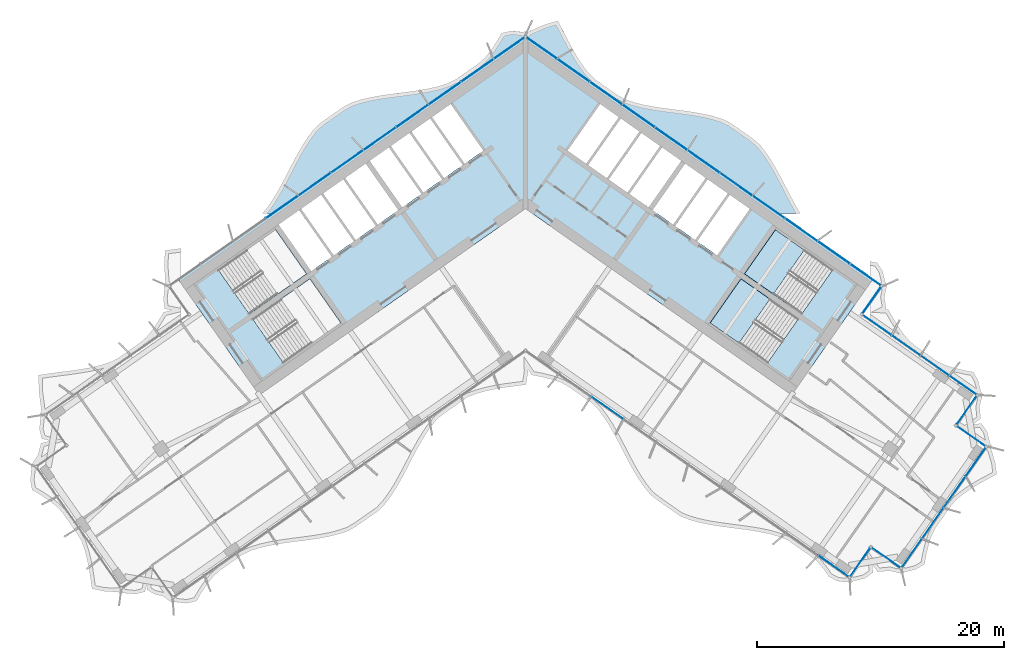
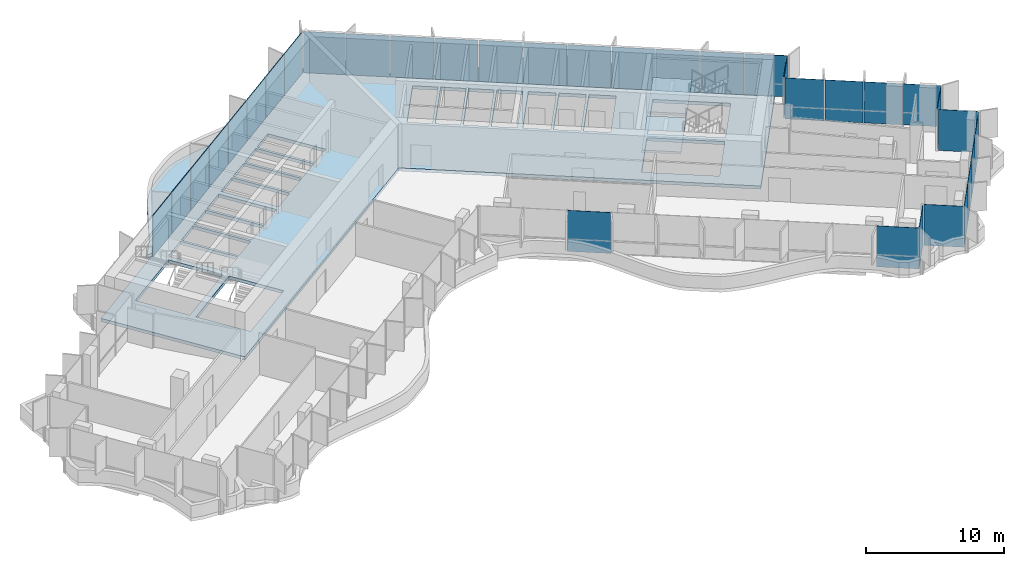
# One storey, part 11 of 21: 34 plates, 4 slabs, 4 elements without a shape of their own.
"""IFC4 building model written with IfcOpenShell, lengths in metres."""

from ifc_helpers import new_model, si_unit, direction, frame, origin, origin_2d, place, context, subcontext, project, spatial, polyline, rectangle, outline, extrude, material, layer, layer_set, type_object, element, aggregate, save


model = new_model("IFC4")

# Units and contexts
model_context = context("Model", 3, precision=1e-05, world=origin(), true_north=direction((0.0, 1.0)))
body_context = subcontext(model_context, "Body", "Model", "MODEL_VIEW")
ifc_project = project(units=[si_unit("LENGTHUNIT", "METRE"), si_unit("AREAUNIT", "SQUARE_METRE"), si_unit("VOLUMEUNIT", "CUBIC_METRE"), si_unit("PLANEANGLEUNIT", "RADIAN"), si_unit("MASSUNIT", "GRAM", prefix="KILO")], contexts=[model_context])

# Site, building, storey
site_placement = place(None, origin())
site = spatial("IfcSite", under=ifc_project, at=site_placement, CompositionType="ELEMENT")
building_placement = place(site_placement, origin())
building = spatial("IfcBuilding", under=site, at=building_placement, Name="Tel Ilan Convention Tower", CompositionType="ELEMENT")
storey_placement = place(building_placement, frame((0.0, 0.0, 147.60009765625)))
storey = spatial("IfcBuildingStorey", under=building, at=storey_placement, Name="L33", CompositionType="ELEMENT", Elevation=147.60009765625)

# Curtain wall, plates
ifc_material_1 = material(Name="Aluminium, bronze anodised", Category="aluminium")
curtain_wall_type_1 = type_object("IfcCurtainWallType", Name="CW4 STICK CURTAIN WALL, OFFICE TINTED GLASS", PredefinedType="NOTDEFINED", material=ifc_material_1)
curtain_wall_1_placement = place(storey_placement, origin())
curtain_wall_1 = element("IfcCurtainWall", 1, at=curtain_wall_1_placement, inside=storey, type_object=curtain_wall_type_1, Name="Curtain wall CW4-27.02", PredefinedType="NOTDEFINED")
ifc_material_2 = material(Name="Glass, bronze tinted, two-ply", Category="glass")
ifc_layer_1 = layer(ifc_material_2, 0.028076171875)
ifc_layer_set_1 = layer_set([ifc_layer_1], Name="CW GLASS PANEL 28")
plate_type_1 = type_object("IfcPlateType", Name="CW GLASS PANEL 28", PredefinedType="CURTAIN_PANEL", material=ifc_layer_set_1)
plate_1_placement = place(storey_placement, frame((6.620361328125, -17.331787109375, -0.000244140625), z_axis=(0.0, 0.0, 1.0), x_axis=(0.819152044289, -0.573576436351, 0.0)))
plate_1 = element("IfcPlate", 2, at=plate_1_placement, type_object=plate_type_1, Name="Glass panel", PredefinedType="CURTAIN_PANEL", context=body_context, shape_type="SweptSolid", body=[
    extrude(rectangle(XDim=3.144775390625, YDim=0.028076171875, at=origin_2d()), origin(), (0.0, 0.0, 1.0), 3.6201171875),
])
plate_2_placement = place(storey_placement, frame((24.958251953125, -30.172119140625, -0.000244140625), z_axis=(0.0, 0.0, 1.0), x_axis=(0.819152044289, -0.573576436351, 0.0)))
plate_2 = element("IfcPlate", 3, at=plate_2_placement, type_object=plate_type_1, Name="Glass panel", PredefinedType="CURTAIN_PANEL", context=body_context, shape_type="SweptSolid", body=[
    extrude(rectangle(XDim=3.05078125, YDim=0.028076171875, at=origin_2d()), origin(), (0.0, 0.0, 1.0), 3.6201171875),
])
plate_3_placement = place(storey_placement, frame((27.065673828125, -29.863525390625, -0.000244140625), z_axis=(0.0, 0.0, 1.0), x_axis=(0.573576436351, 0.819152044289, 0.0)))
plate_3 = element("IfcPlate", 4, at=plate_3_placement, type_object=plate_type_1, Name="Glass panel", PredefinedType="CURTAIN_PANEL", context=body_context, shape_type="SweptSolid", body=[
    extrude(rectangle(XDim=2.875, YDim=0.028076171875, at=origin_2d()), origin(), (0.0, 0.0, 1.0), 3.6201171875),
])
plate_4_placement = place(storey_placement, frame((29.20849609375, -29.48583984375, -0.000244140625), z_axis=(0.0, 0.0, 1.0), x_axis=(0.819152044289, -0.573576436351, 0.0)))
plate_4 = element("IfcPlate", 5, at=plate_4_placement, type_object=plate_type_1, Name="Glass panel", PredefinedType="CURTAIN_PANEL", context=body_context, shape_type="SweptSolid", body=[
    extrude(rectangle(XDim=2.875, YDim=0.028076171875, at=origin_2d()), origin(), (0.0, 0.0, 1.0), 3.6201171875),
])
plate_5_placement = place(storey_placement, frame((31.25, -29.1181640625, -0.000244140625), z_axis=(0.0, 0.0, 1.0), x_axis=(0.573576436351, 0.819152044289, 0.0)))
plate_5 = element("IfcPlate", 6, at=plate_5_placement, type_object=plate_type_1, Name="Glass panel", PredefinedType="CURTAIN_PANEL", context=body_context, shape_type="SweptSolid", body=[
    extrude(rectangle(XDim=2.89599609375, YDim=0.028076171875, at=origin_2d()), origin(), (0.0, 0.0, 1.0), 3.6201171875),
])
plate_6_placement = place(storey_placement, frame((32.972412109375, -26.658203125, -0.000244140625), z_axis=(0.0, 0.0, 1.0), x_axis=(0.573576436351, 0.819152044289, 0.0)))
plate_6 = element("IfcPlate", 7, at=plate_6_placement, type_object=plate_type_1, Name="Glass panel", PredefinedType="CURTAIN_PANEL", context=body_context, shape_type="SweptSolid", body=[
    extrude(rectangle(XDim=2.989990234375, YDim=0.028076171875, at=origin_2d()), origin(), (0.0, 0.0, 1.0), 3.6201171875),
])
plate_7_placement = place(storey_placement, frame((34.721923828125, -24.159912109375, -0.000244140625), z_axis=(0.0, 0.0, 1.0), x_axis=(0.573576436351, 0.819152044289, 0.0)))
plate_7 = element("IfcPlate", 8, at=plate_7_placement, type_object=plate_type_1, Name="Glass panel", PredefinedType="CURTAIN_PANEL", context=body_context, shape_type="SweptSolid", body=[
    extrude(rectangle(XDim=2.989990234375, YDim=0.028076171875, at=origin_2d()), origin(), (0.0, 0.0, 1.0), 3.6201171875),
])
plate_8_placement = place(storey_placement, frame((36.4443359375, -21.699951171875, -0.000244140625), z_axis=(0.0, 0.0, 1.0), x_axis=(0.573576436351, 0.819152044289, 0.0)))
plate_8 = element("IfcPlate", 9, at=plate_8_placement, type_object=plate_type_1, Name="Glass panel", PredefinedType="CURTAIN_PANEL", context=body_context, shape_type="SweptSolid", body=[
    extrude(rectangle(XDim=2.89599609375, YDim=0.028076171875, at=origin_2d()), origin(), (0.0, 0.0, 1.0), 3.6201171875),
])
plate_9_placement = place(storey_placement, frame((36.09130859375, -19.656005859375, -0.000244140625), z_axis=(0.0, 0.0, 1.0), x_axis=(-0.819152044289, 0.573576436351, 0.0)))
plate_9 = element("IfcPlate", 10, at=plate_9_placement, type_object=plate_type_1, Name="Glass panel", PredefinedType="CURTAIN_PANEL", context=body_context, shape_type="SweptSolid", body=[
    extrude(rectangle(XDim=2.875, YDim=0.028076171875, at=origin_2d()), origin(), (0.0, 0.0, 1.0), 3.6201171875),
])
plate_10_placement = place(storey_placement, frame((35.713623046875, -17.51318359375, -0.000244140625), z_axis=(0.0, 0.0, 1.0), x_axis=(0.573576436351, 0.819152044289, 0.0)))
plate_10 = element("IfcPlate", 11, at=plate_10_placement, type_object=plate_type_1, Name="Glass panel", PredefinedType="CURTAIN_PANEL", context=body_context, shape_type="SweptSolid", body=[
    extrude(rectangle(XDim=2.875, YDim=0.028076171875, at=origin_2d()), origin(), (0.0, 0.0, 1.0), 3.6201171875),
])
plate_11_placement = place(storey_placement, frame((35.427978515625, -15.529052734375, -0.000244140625), z_axis=(0.0, 0.0, 1.0), x_axis=(-0.819152044289, 0.573576436351, 0.0)))
plate_11 = element("IfcPlate", 12, at=plate_11_placement, type_object=plate_type_1, Name="Glass panel", PredefinedType="CURTAIN_PANEL", context=body_context, shape_type="SweptSolid", body=[
    extrude(rectangle(XDim=2.696044921875, YDim=0.028076171875, at=origin_2d()), origin(), (0.0, 0.0, 1.0), 3.6201171875),
])
plate_12_placement = place(storey_placement, frame((33.1318359375, -13.92138671875, -0.000244140625), z_axis=(0.0, 0.0, 1.0), x_axis=(-0.819152044289, 0.573576436351, 0.0)))
plate_12 = element("IfcPlate", 13, at=plate_12_placement, type_object=plate_type_1, Name="Glass panel", PredefinedType="CURTAIN_PANEL", context=body_context, shape_type="SweptSolid", body=[
    extrude(rectangle(XDim=2.7900390625, YDim=0.028076171875, at=origin_2d()), origin(), (0.0, 0.0, 1.0), 3.6201171875),
])
plate_13_placement = place(storey_placement, frame((30.79736328125, -12.28662109375, -0.000244140625), z_axis=(0.0, 0.0, 1.0), x_axis=(-0.819152044289, 0.573576436351, 0.0)))
plate_13 = element("IfcPlate", 14, at=plate_13_placement, type_object=plate_type_1, Name="Glass panel", PredefinedType="CURTAIN_PANEL", context=body_context, shape_type="SweptSolid", body=[
    extrude(rectangle(XDim=2.7900390625, YDim=0.028076171875, at=origin_2d()), origin(), (0.0, 0.0, 1.0), 3.6201171875),
])
plate_14_placement = place(storey_placement, frame((28.450927734375, -10.6435546875, -0.000244140625), z_axis=(0.0, 0.0, 1.0), x_axis=(-0.819152044289, 0.573576436351, 0.0)))
plate_14 = element("IfcPlate", 15, at=plate_14_placement, type_object=plate_type_1, Name="Glass panel", PredefinedType="CURTAIN_PANEL", context=body_context, shape_type="SweptSolid", body=[
    extrude(rectangle(XDim=2.819091796875, YDim=0.028076171875, at=origin_2d()), origin(), (0.0, 0.0, 1.0), 3.6201171875),
])
aggregate(curtain_wall_1, [plate_1, plate_2, plate_3, plate_4, plate_5, plate_6, plate_7, plate_8, plate_9, plate_10, plate_11, plate_12, plate_13, plate_14])

ifc_material_3 = material(Name="Aluminium, bronze anodised", Category="aluminium")
curtain_wall_type_2 = type_object("IfcCurtainWallType", Name="CW2 STICK CURTAIN WALL, SPANDREL PANELS", PredefinedType="NOTDEFINED", material=ifc_material_3)
curtain_wall_2_placement = place(storey_placement, origin())
curtain_wall_2 = element("IfcCurtainWall", 16, at=curtain_wall_2_placement, inside=storey, type_object=curtain_wall_type_2, Name="Curtain wall CW2-27.01", PredefinedType="NOTDEFINED")
ifc_material_4 = material(Name="Aluminium composite panel, bronze anodised", Category="aluminium")
ifc_layer_2 = layer(ifc_material_4, 0.06005859375)
ifc_layer_set_2 = layer_set([ifc_layer_2], Name="CW SPANDREL PANEL 60")
plate_type_2 = type_object("IfcPlateType", Name="CW SPANDREL PANEL 60", PredefinedType="CURTAIN_PANEL", material=ifc_layer_set_2)
plate_15_placement = place(storey_placement, frame((28.033935546875, -8.60546875, -0.000244140625), z_axis=(0.0, 0.0, 1.0), x_axis=(0.573576436351, 0.819152044289, 0.0)))
plate_15 = element("IfcPlate", 17, at=plate_15_placement, type_object=plate_type_2, Name="Spandrel panel", PredefinedType="CURTAIN_PANEL", context=body_context, shape_type="SweptSolid", body=[
    extrude(rectangle(XDim=2.658935546875, YDim=0.06005859375, at=origin_2d()), origin(), (0.0, 0.0, 1.0), 3.6201171875),
])
plate_16_placement = place(storey_placement, frame((27.5400390625, -6.587646484375, -0.000244140625), z_axis=(0.0, 0.0, 1.0), x_axis=(-0.819152044289, 0.573576436351, 0.0)))
plate_16 = element("IfcPlate", 18, at=plate_16_placement, type_object=plate_type_2, Name="Spandrel panel", PredefinedType="CURTAIN_PANEL", context=body_context, shape_type="SweptSolid", body=[
    extrude(rectangle(XDim=3.0439453125, YDim=0.06005859375, at=origin_2d()), origin(), (0.0, 0.0, 1.0), 3.6201171875),
])
plate_17_placement = place(storey_placement, frame((24.95263671875, -4.77587890625, -0.000244140625), z_axis=(0.0, 0.0, 1.0), x_axis=(-0.819152044289, 0.573576436351, 0.0)))
plate_17 = element("IfcPlate", 19, at=plate_17_placement, type_object=plate_type_2, Name="Spandrel panel", PredefinedType="CURTAIN_PANEL", context=body_context, shape_type="SweptSolid", body=[
    extrude(rectangle(XDim=3.15380859375, YDim=0.06005859375, at=origin_2d()), origin(), (0.0, 0.0, 1.0), 3.6201171875),
])
plate_18_placement = place(storey_placement, frame((22.31982421875, -2.9326171875, -0.000244140625), z_axis=(0.0, 0.0, 1.0), x_axis=(-0.819152044289, 0.573576436351, 0.0)))
plate_18 = element("IfcPlate", 20, at=plate_18_placement, type_object=plate_type_2, Name="Spandrel panel", PredefinedType="CURTAIN_PANEL", context=body_context, shape_type="SweptSolid", body=[
    extrude(rectangle(XDim=3.15380859375, YDim=0.06005859375, at=origin_2d()), origin(), (0.0, 0.0, 1.0), 3.6201171875),
])
plate_19_placement = place(storey_placement, frame((19.687255859375, -1.089111328125, -0.000244140625), z_axis=(0.0, 0.0, 1.0), x_axis=(-0.819152044289, 0.573576436351, 0.0)))
plate_19 = element("IfcPlate", 21, at=plate_19_placement, type_object=plate_type_2, Name="Spandrel panel", PredefinedType="CURTAIN_PANEL", context=body_context, shape_type="SweptSolid", body=[
    extrude(rectangle(XDim=3.15380859375, YDim=0.06005859375, at=origin_2d()), origin(), (0.0, 0.0, 1.0), 3.6201171875),
])
plate_20_placement = place(storey_placement, frame((17.0546875, 0.754150390625, -0.000244140625), z_axis=(0.0, 0.0, 1.0), x_axis=(-0.819152044289, 0.573576436351, 0.0)))
plate_20 = element("IfcPlate", 22, at=plate_20_placement, type_object=plate_type_2, Name="Spandrel panel", PredefinedType="CURTAIN_PANEL", context=body_context, shape_type="SweptSolid", body=[
    extrude(rectangle(XDim=3.15380859375, YDim=0.06005859375, at=origin_2d()), origin(), (0.0, 0.0, 1.0), 3.6201171875),
])
plate_21_placement = place(storey_placement, frame((14.422119140625, 2.59765625, -0.000244140625), z_axis=(0.0, 0.0, 1.0), x_axis=(-0.819152044289, 0.573576436351, 0.0)))
plate_21 = element("IfcPlate", 23, at=plate_21_placement, type_object=plate_type_2, Name="Spandrel panel", PredefinedType="CURTAIN_PANEL", context=body_context, shape_type="SweptSolid", body=[
    extrude(rectangle(XDim=3.15380859375, YDim=0.06005859375, at=origin_2d()), origin(), (0.0, 0.0, 1.0), 3.6201171875),
])
plate_22_placement = place(storey_placement, frame((11.789306640625, 4.44091796875, -0.000244140625), z_axis=(0.0, 0.0, 1.0), x_axis=(-0.819152044289, 0.573576436351, 0.0)))
plate_22 = element("IfcPlate", 24, at=plate_22_placement, type_object=plate_type_2, Name="Spandrel panel", PredefinedType="CURTAIN_PANEL", context=body_context, shape_type="SweptSolid", body=[
    extrude(rectangle(XDim=3.15380859375, YDim=0.06005859375, at=origin_2d()), origin(), (0.0, 0.0, 1.0), 3.6201171875),
])
plate_23_placement = place(storey_placement, frame((9.15673828125, 6.284423828125, -0.000244140625), z_axis=(0.0, 0.0, 1.0), x_axis=(-0.819152044289, 0.573576436351, 0.0)))
plate_23 = element("IfcPlate", 25, at=plate_23_placement, type_object=plate_type_2, Name="Spandrel panel", PredefinedType="CURTAIN_PANEL", context=body_context, shape_type="SweptSolid", body=[
    extrude(rectangle(XDim=3.15380859375, YDim=0.06005859375, at=origin_2d()), origin(), (0.0, 0.0, 1.0), 3.6201171875),
])
plate_24_placement = place(storey_placement, frame((6.524169921875, 8.127685546875, -0.000244140625), z_axis=(0.0, 0.0, 1.0), x_axis=(-0.819152044289, 0.573576436351, 0.0)))
plate_24 = element("IfcPlate", 26, at=plate_24_placement, type_object=plate_type_2, Name="Spandrel panel", PredefinedType="CURTAIN_PANEL", context=body_context, shape_type="SweptSolid", body=[
    extrude(rectangle(XDim=3.15380859375, YDim=0.06005859375, at=origin_2d()), origin(), (0.0, 0.0, 1.0), 3.6201171875),
])
plate_25_placement = place(storey_placement, frame((3.8916015625, 9.97119140625, -0.000244140625), z_axis=(0.0, 0.0, 1.0), x_axis=(-0.819152044289, 0.573576436351, 0.0)))
plate_25 = element("IfcPlate", 27, at=plate_25_placement, type_object=plate_type_2, Name="Spandrel panel", PredefinedType="CURTAIN_PANEL", context=body_context, shape_type="SweptSolid", body=[
    extrude(rectangle(XDim=3.15380859375, YDim=0.06005859375, at=origin_2d()), origin(), (0.0, 0.0, 1.0), 3.6201171875),
])
plate_26_placement = place(storey_placement, frame((1.303955078125, 11.782958984375, -0.000244140625), z_axis=(0.0, 0.0, 1.0), x_axis=(-0.819152044289, 0.573576436351, 0.0)))
plate_26 = element("IfcPlate", 28, at=plate_26_placement, type_object=plate_type_2, Name="Spandrel panel", PredefinedType="CURTAIN_PANEL", context=body_context, shape_type="SweptSolid", body=[
    extrude(rectangle(XDim=3.0439453125, YDim=0.06005859375, at=origin_2d()), origin(), (0.0, 0.0, 1.0), 3.6201171875),
])
plate_27_placement = place(storey_placement, frame((-1.303955078125, 11.782958984375, -0.000244140625), z_axis=(0.0, 0.0, 1.0), x_axis=(-0.819152044289, -0.573576436351, 0.0)))
plate_27 = element("IfcPlate", 29, at=plate_27_placement, type_object=plate_type_2, Name="Spandrel panel", PredefinedType="CURTAIN_PANEL", context=body_context, shape_type="SweptSolid", body=[
    extrude(rectangle(XDim=3.0439453125, YDim=0.06005859375, at=origin_2d()), origin(), (0.0, 0.0, 1.0), 3.6201171875),
])
plate_28_placement = place(storey_placement, frame((-3.8916015625, 9.97119140625, -0.000244140625), z_axis=(0.0, 0.0, 1.0), x_axis=(-0.819152044289, -0.573576436351, 0.0)))
plate_28 = element("IfcPlate", 30, at=plate_28_placement, type_object=plate_type_2, Name="Spandrel panel", PredefinedType="CURTAIN_PANEL", context=body_context, shape_type="SweptSolid", body=[
    extrude(rectangle(XDim=3.15380859375, YDim=0.06005859375, at=origin_2d()), origin(), (0.0, 0.0, 1.0), 3.6201171875),
])
plate_29_placement = place(storey_placement, frame((-6.524169921875, 8.127685546875, -0.000244140625), z_axis=(0.0, 0.0, 1.0), x_axis=(-0.819152044289, -0.573576436351, 0.0)))
plate_29 = element("IfcPlate", 31, at=plate_29_placement, type_object=plate_type_2, Name="Spandrel panel", PredefinedType="CURTAIN_PANEL", context=body_context, shape_type="SweptSolid", body=[
    extrude(rectangle(XDim=3.15380859375, YDim=0.06005859375, at=origin_2d()), origin(), (0.0, 0.0, 1.0), 3.6201171875),
])
plate_30_placement = place(storey_placement, frame((-9.15673828125, 6.284423828125, -0.000244140625), z_axis=(0.0, 0.0, 1.0), x_axis=(-0.819152044289, -0.573576436351, 0.0)))
plate_30 = element("IfcPlate", 32, at=plate_30_placement, type_object=plate_type_2, Name="Spandrel panel", PredefinedType="CURTAIN_PANEL", context=body_context, shape_type="SweptSolid", body=[
    extrude(rectangle(XDim=3.15380859375, YDim=0.06005859375, at=origin_2d()), origin(), (0.0, 0.0, 1.0), 3.6201171875),
])
plate_31_placement = place(storey_placement, frame((-11.789306640625, 4.44091796875, -0.000244140625), z_axis=(0.0, 0.0, 1.0), x_axis=(-0.819152044289, -0.573576436351, 0.0)))
plate_31 = element("IfcPlate", 33, at=plate_31_placement, type_object=plate_type_2, Name="Spandrel panel", PredefinedType="CURTAIN_PANEL", context=body_context, shape_type="SweptSolid", body=[
    extrude(rectangle(XDim=3.15380859375, YDim=0.06005859375, at=origin_2d()), origin(), (0.0, 0.0, 1.0), 3.6201171875),
])
plate_32_placement = place(storey_placement, frame((-14.422119140625, 2.59765625, -0.000244140625), z_axis=(0.0, 0.0, 1.0), x_axis=(-0.819152044289, -0.573576436351, 0.0)))
plate_32 = element("IfcPlate", 34, at=plate_32_placement, type_object=plate_type_2, Name="Spandrel panel", PredefinedType="CURTAIN_PANEL", context=body_context, shape_type="SweptSolid", body=[
    extrude(rectangle(XDim=3.15380859375, YDim=0.06005859375, at=origin_2d()), origin(), (0.0, 0.0, 1.0), 3.6201171875),
])
plate_33_placement = place(storey_placement, frame((-17.0546875, 0.754150390625, -0.000244140625), z_axis=(0.0, 0.0, 1.0), x_axis=(-0.819152044289, -0.573576436351, 0.0)))
plate_33 = element("IfcPlate", 35, at=plate_33_placement, type_object=plate_type_2, Name="Spandrel panel", PredefinedType="CURTAIN_PANEL", context=body_context, shape_type="SweptSolid", body=[
    extrude(rectangle(XDim=3.15380859375, YDim=0.06005859375, at=origin_2d()), origin(), (0.0, 0.0, 1.0), 3.6201171875),
])
plate_34_placement = place(storey_placement, frame((-19.687255859375, -1.089111328125, -0.000244140625), z_axis=(0.0, 0.0, 1.0), x_axis=(-0.819152044289, -0.573576436351, 0.0)))
plate_34 = element("IfcPlate", 36, at=plate_34_placement, type_object=plate_type_2, Name="Spandrel panel", PredefinedType="CURTAIN_PANEL", context=body_context, shape_type="SweptSolid", body=[
    extrude(rectangle(XDim=3.15380859375, YDim=0.06005859375, at=origin_2d()), origin(), (0.0, 0.0, 1.0), 3.6201171875),
])
aggregate(curtain_wall_2, [plate_15, plate_16, plate_17, plate_18, plate_19, plate_20, plate_21, plate_22, plate_23, plate_24, plate_25, plate_26, plate_27, plate_28, plate_29, plate_30, plate_31, plate_32, plate_33, plate_34])

# Stair, slab
ifc_material_5 = material(Name="Concrete C40/50", Category="concrete")
stair_type = type_object("IfcStairType", Name="Pressurised Exit Stair 22 risers 177 mm", PredefinedType="HALF_TURN_STAIR", material=ifc_material_5)
stair_1_placement = place(storey_placement, origin())
stair_1 = element("IfcStair", 37, at=stair_1_placement, inside=storey, type_object=stair_type, Name="L33 Pressurised Stair S3", PredefinedType="HALF_TURN_STAIR")
ifc_material_6 = material(Name="Concrete C40/50", Category="concrete")
ifc_layer_3 = layer(ifc_material_6, 0.199951171875)
ifc_layer_set_3 = layer_set([ifc_layer_3], Name="Concrete Stair Landing 200 mm C40/50")
slab_type_1 = type_object("IfcSlabType", Name="Concrete Stair Landing 200 mm", PredefinedType="LANDING", material=ifc_layer_set_3)
slab_1_placement = place(storey_placement, frame((0.0, 0.0, 1.75)))
slab_1 = element("IfcSlab", 38, at=slab_1_placement, type_object=slab_type_1, Name="S3 landing 1", PredefinedType="LANDING", context=body_context, shape_type="SweptSolid", body=[
    extrude(outline(polyline([(22.561767578125, -4.566650390625), (20.226318359375, -2.931640625), (17.7314453125, -6.494873046875), (20.066650390625, -8.130126953125), (22.561767578125, -4.566650390625)])), origin(), (0.0, 0.0, 1.0), 0.199951171875),
])
aggregate(stair_1, [slab_1])

stair_2_placement = place(storey_placement, origin())
stair_2 = element("IfcStair", 39, at=stair_2_placement, inside=storey, type_object=stair_type, Name="L33 Pressurised Stair S4", PredefinedType="HALF_TURN_STAIR")
slab_2_placement = place(storey_placement, frame((0.0, 0.0, 1.75)))
slab_2 = element("IfcSlab", 40, at=slab_2_placement, type_object=slab_type_1, Name="S4 landing 1", PredefinedType="LANDING", context=body_context, shape_type="SweptSolid", body=[
    extrude(outline(polyline([(19.77978515625, -8.53955078125), (17.444580078125, -6.904541015625), (14.949462890625, -10.4677734375), (17.28466796875, -12.10302734375), (19.77978515625, -8.53955078125)])), origin(), (0.0, 0.0, 1.0), 0.199951171875),
])
aggregate(stair_2, [slab_2])

# Slabs
ifc_material_7 = material(Name="Concrete C40/50", Category="concrete")
ifc_layer_4 = layer(ifc_material_7, 0.280029296875)
ifc_layer_set_4 = layer_set([ifc_layer_4], Name="Core Floor Slab 280 mm C40/50")
slab_type_2 = type_object("IfcSlabType", Name="Core Floor Slab 280 mm C40/50", PredefinedType="FLOOR", material=ifc_layer_set_4)
slab_3_placement = place(storey_placement, frame((0.0, 0.0, -0.280029296875)))
element("IfcSlab", 41, at=slab_3_placement, inside=storey, type_object=slab_type_2, Name="L33 core floor 1", PredefinedType="FLOOR", context=body_context, shape_type="SweptSolid", body=[
    extrude(outline(polyline([(-28.1396484375, -6.885498046875), (0.0, 12.818115234375), (28.1396484375, -6.885498046875), (21.54345703125, -16.3056640625), (0.0, -1.220703125), (-21.54345703125, -16.3056640625), (-28.1396484375, -6.885498046875)]), holes=[polyline([(-14.949462890625, -10.4677734375), (-17.444580078125, -6.904541015625), (-22.072021484375, -10.144775390625), (-19.5771484375, -13.7080078125), (-14.949462890625, -10.4677734375)]), polyline([(-17.7314453125, -6.494873046875), (-20.226318359375, -2.931640625), (-24.85400390625, -6.171875), (-22.35888671875, -9.735107421875), (-17.7314453125, -6.494873046875)]), polyline([(-18.313720703125, -1.34814453125), (-19.972412109375, -2.509521484375), (-17.333984375, -6.277587890625), (-15.67529296875, -5.1162109375), (-18.313720703125, -1.34814453125)]), polyline([(-16.531982421875, -0.1005859375), (-18.14990234375, -1.2333984375), (-15.511474609375, -5.00146484375), (-13.8935546875, -3.86865234375), (-16.531982421875, -0.1005859375)]), polyline([(-14.75048828125, 1.14697265625), (-16.368408203125, 0.01416015625), (-13.729736328125, -3.75390625), (-12.112060546875, -2.62109375), (-14.75048828125, 1.14697265625)]), polyline([(-12.927734375, 2.423095703125), (-14.586669921875, 1.26171875), (-11.947998046875, -2.506591796875), (-10.289306640625, -1.344970703125), (-12.927734375, 2.423095703125)]), polyline([(-11.053955078125, 3.735107421875), (-12.60009765625, 2.652587890625), (-9.961669921875, -1.115478515625), (-8.41552734375, -0.032958984375), (-11.053955078125, 3.735107421875)]), polyline([(-6.74658203125, 1.1357421875), (-9.385009765625, 4.90380859375), (-10.89013671875, 3.849853515625), (-8.251708984375, 0.081787109375), (-6.74658203125, 1.1357421875)]), polyline([(-5.077392578125, 2.304443359375), (-7.716064453125, 6.072509765625), (-9.22119140625, 5.0185546875), (-6.582763671875, 1.25048828125), (-5.077392578125, 2.304443359375)]), polyline([(-6.046875, 7.2412109375), (-7.552001953125, 6.187255859375), (-4.913818359375, 2.419189453125), (-3.408447265625, 3.47314453125), (-6.046875, 7.2412109375)]), polyline([(17.444580078125, -6.904541015625), (14.949462890625, -10.4677734375), (19.5771484375, -13.7080078125), (22.072021484375, -10.144775390625), (17.444580078125, -6.904541015625)]), polyline([(20.226318359375, -2.931640625), (17.7314453125, -6.494873046875), (22.35888671875, -9.735107421875), (24.85400390625, -6.171875), (20.226318359375, -2.931640625)]), polyline([(13.8935546875, -3.86865234375), (15.511474609375, -5.00146484375), (18.14990234375, -1.2333984375), (16.531982421875, -0.1005859375), (13.8935546875, -3.86865234375)]), polyline([(12.112060546875, -2.62109375), (13.729736328125, -3.75390625), (16.368408203125, 0.01416015625), (14.75048828125, 1.14697265625), (12.112060546875, -2.62109375)]), polyline([(11.947998046875, -2.506591796875), (14.586669921875, 1.26171875), (12.927734375, 2.423095703125), (10.289306640625, -1.344970703125), (11.947998046875, -2.506591796875)]), polyline([(9.961669921875, -1.115478515625), (12.60009765625, 2.652587890625), (11.053955078125, 3.735107421875), (8.41552734375, -0.032958984375), (9.961669921875, -1.115478515625)]), polyline([(8.251708984375, 0.081787109375), (10.89013671875, 3.849853515625), (9.385009765625, 4.90380859375), (6.74658203125, 1.1357421875), (8.251708984375, 0.081787109375)]), polyline([(5.077392578125, 2.304443359375), (6.582763671875, 1.25048828125), (9.22119140625, 5.0185546875), (7.716064453125, 6.072509765625), (5.077392578125, 2.304443359375)]), polyline([(3.408447265625, 3.47314453125), (4.913818359375, 2.419189453125), (7.552001953125, 6.187255859375), (6.046875, 7.2412109375), (3.408447265625, 3.47314453125)])]), origin(), (0.0, 0.0, 1.0), 0.280029296875),
])
ifc_material_8 = material(Name="Concrete C40/50", Category="concrete")
ifc_layer_5 = layer(ifc_material_8, 0.280029296875)
ifc_layer_set_5 = layer_set([ifc_layer_5], Name="Edge Ledge Slab 280 mm C40/50")
slab_type_3 = type_object("IfcSlabType", Name="Edge Ledge Slab 280 mm C40/50", PredefinedType="FLOOR", material=ifc_layer_set_5)
slab_4_placement = place(storey_placement, frame((0.0, 0.0, -0.280029296875)))
element("IfcSlab", 42, at=slab_4_placement, inside=storey, type_object=slab_type_3, Name="L33 edge ledge 2", PredefinedType="FLOOR", context=body_context, shape_type="SweptSolid", body=[
    extrude(outline(polyline([(-19.60009765625, 1.004150390625), (-19.217529296875, 1.741943359375), (-18.83642578125, 2.481689453125), (-18.44677734375, 3.209228515625), (-18.0390625, 3.910888671875), (-17.604736328125, 4.574951171875), (-17.13671875, 5.190185546875), (-16.6015625, 5.71044921875), (-14.791748046875, 6.977783203125), (-14.1416015625, 7.33349609375), (-13.41064453125, 7.573486328125), (-12.644287109375, 7.76318359375), (-11.849853515625, 7.91259765625), (-11.03564453125, 8.033935546875), (-10.211181640625, 8.140380859375), (-9.385986328125, 8.24609375), (-8.570068359375, 8.36474609375), (-7.7724609375, 8.509765625), (-7.002197265625, 8.693603515625), (-6.26611328125, 8.926513671875), (-5.601806640625, 9.261962890625), (-3.7919921875, 10.529296875), (-3.2421875, 11.0283203125), (-2.769287109375, 11.63671875), (-2.3310546875, 12.294921875), (-1.919921875, 12.991943359375), (-1.14208984375, 13.1650390625), (-0.172119140625, 13.06396484375), (-0.168701171875, 13.05908203125), (-0.11474609375, 13.09521484375), (0.0, 13.1181640625), (0.11474609375, 13.09521484375), (0.168701171875, 13.05908203125), (0.172119140625, 13.06396484375), (1.4794921875, 13.647216796875), (2.6162109375, 13.986328125), (3.000244140625, 13.250732421875), (3.38134765625, 12.510986328125), (3.770263671875, 11.7822265625), (4.176513671875, 11.078369140625), (4.608642578125, 10.41162109375), (5.074462890625, 9.792724609375), (5.601806640625, 9.261962890625), (7.411865234375, 7.99462890625), (8.054931640625, 7.62890625), (8.783447265625, 7.385498046875), (9.547607421875, 7.19287109375), (10.340576171875, 7.041015625), (11.15380859375, 6.91845703125), (11.977783203125, 6.811279296875), (12.80322265625, 6.7060546875), (13.6201171875, 6.588623046875), (14.419189453125, 6.44580078125), (15.191650390625, 6.2646484375), (15.929931640625, 6.03515625), (16.6015625, 5.71044921875), (18.41162109375, 4.443115234375), (18.96826171875, 3.9541015625), (19.44384765625, 3.34912109375), (19.884033203125, 2.69384765625), (20.296142578125, 1.998291015625), (20.688720703125, 1.27490234375), (21.07080078125, 0.53662109375), (21.4521484375, -0.202880859375), (21.8427734375, -0.928955078125), (22.25341796875, -1.631591796875), (20.63623046875, -1.631591796875), (0.0, 12.818115234375), (-20.63623046875, -1.631591796875), (-21.30126953125, -1.631591796875), (-20.849609375, -1.0634765625), (-20.4072265625, -0.4111328125), (-19.993408203125, 0.281982421875), (-19.60009765625, 1.004150390625)])), origin(), (0.0, 0.0, 1.0), 0.280029296875),
])

save(model, "model.ifc")
